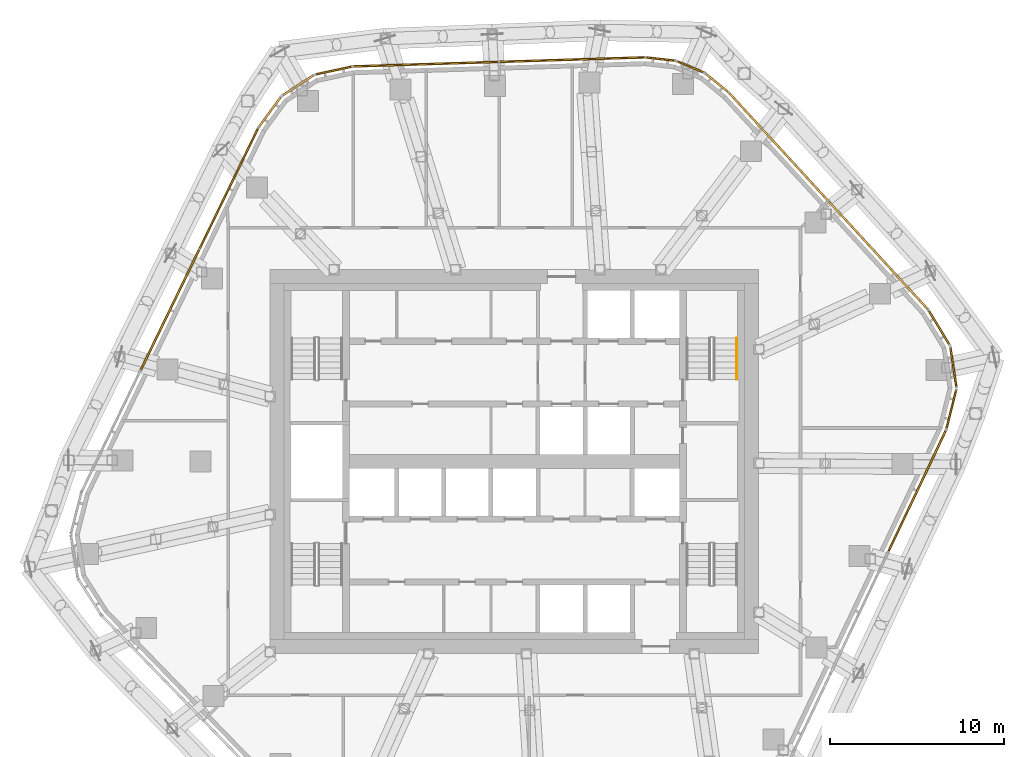
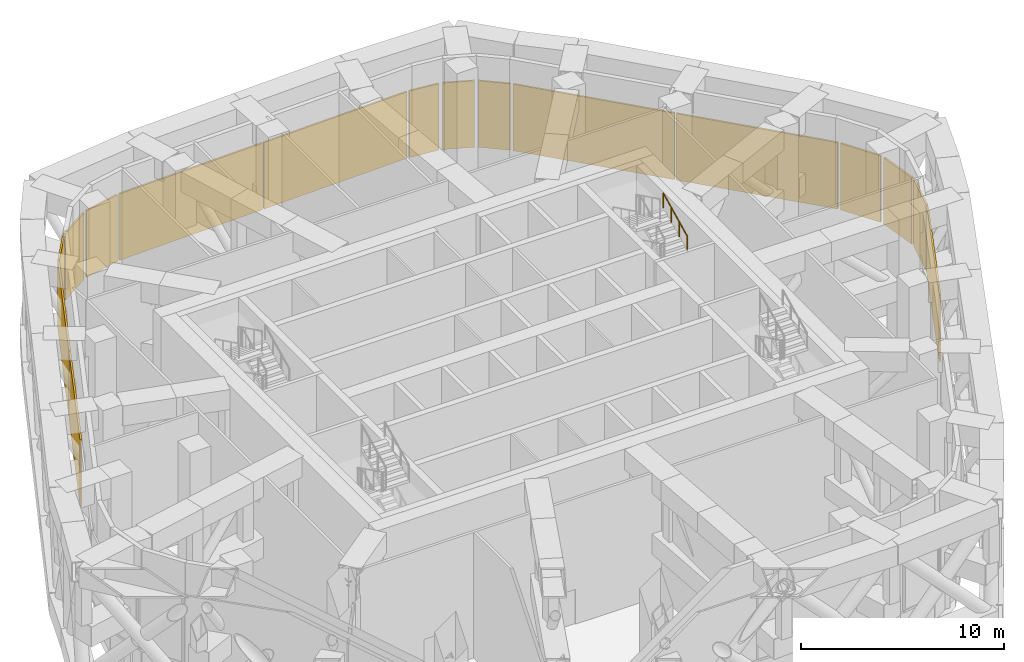
# One storey, part 21 of 21: 16 coverings, 1 railing, 7 elements without a shape of their own.
"""IFC4 building model written with IfcOpenShell, lengths in metres."""

from ifc_helpers import new_model, si_unit, direction, frame, origin, origin_2d, place, context, subcontext, project, spatial, rectangle, circle, extrude, material, layer, layer_set, type_object, element, aggregate, save


model = new_model("IFC4")

# Units and contexts
model_context = context("Model", 3, precision=1e-05, world=origin(), true_north=direction((0.0, 1.0)))
body_context = subcontext(model_context, "Body", "Model", "MODEL_VIEW")
ifc_project = project(units=[si_unit("LENGTHUNIT", "METRE"), si_unit("AREAUNIT", "SQUARE_METRE"), si_unit("VOLUMEUNIT", "CUBIC_METRE"), si_unit("PLANEANGLEUNIT", "RADIAN"), si_unit("MASSUNIT", "GRAM", prefix="KILO")], contexts=[model_context])

# Site, building, storey
site_placement = place(None, origin())
site = spatial("IfcSite", under=ifc_project, at=site_placement, CompositionType="ELEMENT")
building_placement = place(site_placement, origin())
building = spatial("IfcBuilding", under=site, at=building_placement, Name="Dongbaek Canopy Tower", CompositionType="ELEMENT")
storey_placement = place(building_placement, frame((0.0, 0.0, 220.60009765625)))
storey = spatial("IfcBuildingStorey", under=building, at=storey_placement, Name="L46", CompositionType="ELEMENT", Elevation=220.60009765625)

# Curtain wall, coverings
ifc_material_1 = material(Name="Aluminium 6063-T6 pale anodised", Category="aluminium")
ifc_layer_1 = layer(ifc_material_1, 0.14990234375)
ifc_layer_set_1 = layer_set([ifc_layer_1], Name="CW-7 louvre curtain wall")
curtain_wall_type = type_object("IfcCurtainWallType", Name="CW-7 louvre curtain wall", PredefinedType="NOTDEFINED", material=ifc_layer_set_1)
curtain_wall_1_placement = place(storey_placement, origin())
curtain_wall_1 = element("IfcCurtainWall", 1, at=curtain_wall_1_placement, inside=storey, type_object=curtain_wall_type, Name="CW-7 louvre wall L46 K0", PredefinedType="NOTDEFINED")
ifc_material_2 = material(Name="Aluminium 6063-T6 pale metal louvre blades", Category="aluminium")
ifc_layer_2 = layer(ifc_material_2, 0.10009765625)
ifc_layer_set_2 = layer_set([ifc_layer_2], Name="Louvre LV bank 100 x 4000")
covering_type = type_object("IfcCoveringType", Name="Louvre LV bank 100 x 4000", PredefinedType="CLADDING", material=ifc_layer_set_2)
covering_1_placement = place(storey_placement, frame((25.043701171875, 3.004150390625, 1.77490234375), z_axis=(0.0, 0.0, 1.0), x_axis=(0.242808159249, 0.970074325916, 0.0)))
covering_1 = element("IfcCovering", 2, at=covering_1_placement, type_object=covering_type, Name="Louvre L46 K0.1.1", PredefinedType="CLADDING", context=body_context, shape_type="SweptSolid", body=[
    extrude(rectangle(XDim=2.236083984375, YDim=0.10009765625, at=origin_2d()), origin(), (0.0, 0.0, 1.0), 4.0),
])
covering_2_placement = place(storey_placement, frame((25.15966796875, 5.414794921875, 1.77490234375), z_axis=(0.0, 0.0, 1.0), x_axis=(-0.149423746868, 0.988773252001, 0.0)))
covering_2 = element("IfcCovering", 3, at=covering_2_placement, type_object=covering_type, Name="Louvre L46 K0.2.1", PredefinedType="CLADDING", context=body_context, shape_type="SweptSolid", body=[
    extrude(rectangle(XDim=2.22607421875, YDim=0.10009765625, at=origin_2d()), origin(), (0.0, 0.0, 1.0), 4.0),
])
covering_3_placement = place(storey_placement, frame((24.336669921875, 7.683349609375, 1.77490234375), z_axis=(0.0, 0.0, 1.0), x_axis=(-0.518615180918, 0.855007774305, 0.0)))
covering_3 = element("IfcCovering", 4, at=covering_3_placement, type_object=covering_type, Name="Louvre L46 K0.3.1", PredefinedType="CLADDING", context=body_context, shape_type="SweptSolid", body=[
    extrude(rectangle(XDim=2.236083984375, YDim=0.10009765625, at=origin_2d()), origin(), (0.0, 0.0, 1.0), 4.0),
])
aggregate(curtain_wall_1, [covering_1, covering_2, covering_3])

curtain_wall_2_placement = place(storey_placement, origin())
curtain_wall_2 = element("IfcCurtainWall", 5, at=curtain_wall_2_placement, inside=storey, type_object=curtain_wall_type, Name="CW-7 louvre wall L46 F0", PredefinedType="NOTDEFINED")
covering_4_placement = place(storey_placement, frame((20.841796875, 11.836669921875, 1.77490234375), z_axis=(0.0, 0.0, 1.0), x_axis=(-0.676392029958, 0.736541799092, 0.0)))
covering_4 = element("IfcCovering", 6, at=covering_4_placement, type_object=covering_type, Name="Louvre L46 F0.1.1", PredefinedType="CLADDING", context=body_context, shape_type="SweptSolid", body=[
    extrude(rectangle(XDim=8.337646484375, YDim=0.10009765625, at=origin_2d()), origin(), (0.0, 0.0, 1.0), 4.0),
])
covering_5_placement = place(storey_placement, frame((15.141357421875, 18.0439453125, 1.77490234375), z_axis=(0.0, 0.0, 1.0), x_axis=(-0.676392029958, 0.736541799092, 0.0)))
covering_5 = element("IfcCovering", 7, at=covering_5_placement, type_object=covering_type, Name="Louvre L46 F0.1.2", PredefinedType="CLADDING", context=body_context, shape_type="SweptSolid", body=[
    extrude(rectangle(XDim=8.337646484375, YDim=0.10009765625, at=origin_2d()), origin(), (0.0, 0.0, 1.0), 4.0),
])
aggregate(curtain_wall_2, [covering_4, covering_5])

curtain_wall_3_placement = place(storey_placement, origin())
curtain_wall_3 = element("IfcCurtainWall", 8, at=curtain_wall_3_placement, inside=storey, type_object=curtain_wall_type, Name="CW-7 louvre wall L46 K1", PredefinedType="NOTDEFINED")
covering_6_placement = place(storey_placement, frame((11.60009765625, 21.716552734375, 1.77490234375), z_axis=(0.0, 0.0, 1.0), x_axis=(-0.774551208084, 0.632511206269, 0.0)))
covering_6 = element("IfcCovering", 9, at=covering_6_placement, type_object=covering_type, Name="Louvre L46 K1.1.1", PredefinedType="CLADDING", context=body_context, shape_type="SweptSolid", body=[
    extrude(rectangle(XDim=1.600341796875, YDim=0.10009765625, at=origin_2d()), origin(), (0.0, 0.0, 1.0), 4.0),
])
covering_7_placement = place(storey_placement, frame((10.084228515625, 22.629150390625, 1.77490234375), z_axis=(0.0, 0.0, 1.0), x_axis=(-0.921649274302, 0.38802398789, 0.0)))
covering_7 = element("IfcCovering", 10, at=covering_7_placement, type_object=covering_type, Name="Louvre L46 K1.2.1", PredefinedType="CLADDING", context=body_context, shape_type="SweptSolid", body=[
    extrude(rectangle(XDim=1.593017578125, YDim=0.10009765625, at=origin_2d()), origin(), (0.0, 0.0, 1.0), 4.0),
])
covering_8_placement = place(storey_placement, frame((8.3720703125, 23.07568359375, 1.77490234375), z_axis=(0.0, 0.0, 1.0), x_axis=(-0.993714176312, 0.111947022273, 0.0)))
covering_8 = element("IfcCovering", 11, at=covering_8_placement, type_object=covering_type, Name="Louvre L46 K1.3.1", PredefinedType="CLADDING", context=body_context, shape_type="SweptSolid", body=[
    extrude(rectangle(XDim=1.600341796875, YDim=0.10009765625, at=origin_2d()), origin(), (0.0, 0.0, 1.0), 4.0),
])
aggregate(curtain_wall_3, [covering_6, covering_7, covering_8])

curtain_wall_4_placement = place(storey_placement, origin())
curtain_wall_4 = element("IfcCurtainWall", 12, at=curtain_wall_4_placement, inside=storey, type_object=curtain_wall_type, Name="CW-7 louvre wall L46 F1", PredefinedType="NOTDEFINED")
covering_9_placement = place(storey_placement, frame((3.30126953125, 23.042724609375, 1.77490234375), z_axis=(0.0, 0.0, 1.0), x_axis=(-0.999520466228, -0.030965102792, 0.0)))
covering_9 = element("IfcCovering", 13, at=covering_9_placement, type_object=covering_type, Name="Louvre L46 F1.1.1", PredefinedType="CLADDING", context=body_context, shape_type="SweptSolid", body=[
    extrude(rectangle(XDim=8.276123046875, YDim=0.10009765625, at=origin_2d()), origin(), (0.0, 0.0, 1.0), 4.0),
])
covering_10_placement = place(storey_placement, frame((-5.060791015625, 22.78369140625, 1.77490234375), z_axis=(0.0, 0.0, 1.0), x_axis=(-0.999520466228, -0.030965102792, 0.0)))
covering_10 = element("IfcCovering", 14, at=covering_10_placement, type_object=covering_type, Name="Louvre L46 F1.1.2", PredefinedType="CLADDING", context=body_context, shape_type="SweptSolid", body=[
    extrude(rectangle(XDim=8.276123046875, YDim=0.10009765625, at=origin_2d()), origin(), (0.0, 0.0, 1.0), 4.0),
])
aggregate(curtain_wall_4, [covering_9, covering_10])

curtain_wall_5_placement = place(storey_placement, origin())
curtain_wall_5 = element("IfcCurtainWall", 15, at=curtain_wall_5_placement, inside=storey, type_object=curtain_wall_type, Name="CW-7 louvre wall L46 K2", PredefinedType="NOTDEFINED")
covering_11_placement = place(storey_placement, frame((-10.348876953125, 22.42138671875, 1.77490234375), z_axis=(0.0, 0.0, 1.0), x_axis=(-0.977554319534, -0.210683536046, 0.0)))
covering_11 = element("IfcCovering", 16, at=covering_11_placement, type_object=covering_type, Name="Louvre L46 K2.1.1", PredefinedType="CLADDING", context=body_context, shape_type="SweptSolid", body=[
    extrude(rectangle(XDim=2.04638671875, YDim=0.10009765625, at=origin_2d()), origin(), (0.0, 0.0, 1.0), 4.0),
])
covering_12_placement = place(storey_placement, frame((-12.40234375, 21.569580078125, 1.77490234375), z_axis=(0.0, 0.0, 1.0), x_axis=(-0.839256302174, -0.543736019831, 0.0)))
covering_12 = element("IfcCovering", 17, at=covering_12_placement, type_object=covering_type, Name="Louvre L46 K2.2.1", PredefinedType="CLADDING", context=body_context, shape_type="SweptSolid", body=[
    extrude(rectangle(XDim=2.037109375, YDim=0.10009765625, at=origin_2d()), origin(), (0.0, 0.0, 1.0), 4.0),
])
covering_13_placement = place(storey_placement, frame((-14.018798828125, 20.043701171875, 1.77490234375), z_axis=(0.0, 0.0, 1.0), x_axis=(-0.591812752147, -0.806075471898, 0.0)))
covering_13 = element("IfcCovering", 18, at=covering_13_placement, type_object=covering_type, Name="Louvre L46 K2.3.1", PredefinedType="CLADDING", context=body_context, shape_type="SweptSolid", body=[
    extrude(rectangle(XDim=2.04638671875, YDim=0.10009765625, at=origin_2d()), origin(), (0.0, 0.0, 1.0), 4.0),
])
aggregate(curtain_wall_5, [covering_11, covering_12, covering_13])

curtain_wall_6_placement = place(storey_placement, origin())
curtain_wall_6 = element("IfcCurtainWall", 19, at=curtain_wall_6_placement, inside=storey, type_object=curtain_wall_type, Name="CW-7 louvre wall L46 F2", PredefinedType="NOTDEFINED")
covering_14_placement = place(storey_placement, frame((-16.370361328125, 15.654296875, 1.77490234375), z_axis=(0.0, 0.0, 1.0), x_axis=(-0.436767146018, -0.899574599552, 0.0)))
covering_14 = element("IfcCovering", 20, at=covering_14_placement, type_object=covering_type, Name="Louvre L46 F2.1.1", PredefinedType="CLADDING", context=body_context, shape_type="SweptSolid", body=[
    extrude(rectangle(XDim=7.6337890625, YDim=0.10009765625, at=origin_2d()), origin(), (0.0, 0.0, 1.0), 4.0),
])
covering_15_placement = place(storey_placement, frame((-19.743896484375, 8.706298828125, 1.77490234375), z_axis=(0.0, 0.0, 1.0), x_axis=(-0.436767146018, -0.899574599552, 0.0)))
covering_15 = element("IfcCovering", 21, at=covering_15_placement, type_object=covering_type, Name="Louvre L46 F2.1.2", PredefinedType="CLADDING", context=body_context, shape_type="SweptSolid", body=[
    extrude(rectangle(XDim=7.6337890625, YDim=0.10009765625, at=origin_2d()), origin(), (0.0, 0.0, 1.0), 4.0),
])
aggregate(curtain_wall_6, [covering_14, covering_15])

# Curtain wall, covering
curtain_wall_7_placement = place(storey_placement, origin())
curtain_wall_7 = element("IfcCurtainWall", 22, at=curtain_wall_7_placement, inside=storey, type_object=curtain_wall_type, Name="CW-7 louvre wall L46 F5", PredefinedType="NOTDEFINED")
covering_16_placement = place(storey_placement, frame((23.0830078125, -1.67822265625, 1.77490234375), z_axis=(0.0, 0.0, 1.0), x_axis=(0.428545293248, 0.903520299515, 0.0)))
covering_16 = element("IfcCovering", 23, at=covering_16_placement, type_object=covering_type, Name="Louvre L46 F5.1.3", PredefinedType="CLADDING", context=body_context, shape_type="SweptSolid", body=[
    extrude(rectangle(XDim=7.6337890625, YDim=0.10009765625, at=origin_2d()), origin(), (0.0, 0.0, 1.0), 4.0),
])
aggregate(curtain_wall_7, [covering_16])

# Railing
ifc_material_3 = material(Name="Stainless steel tube", Category="steel")
railing_type = type_object("IfcRailingType", Name="Stair handrail 900", PredefinedType="HANDRAIL", material=ifc_material_3)
railing_placement = place(storey_placement, frame((12.75, 4.699951171875, 5.5)))
element("IfcRailing", 24, at=railing_placement, inside=storey, type_object=railing_type, Name="L46 ST-A stair handrail 5", PredefinedType="HANDRAIL", context=body_context, shape_type="SweptSolid", body=[
    extrude(circle(Radius=0.02392578125, at=origin_2d()), frame((0.0, 0.0, 0.8759765625), z_axis=(0.0, 0.897954268197, 0.440088777664), x_axis=(-1.0, 0.0, 0.0)), (0.0, 0.0, 1.0), 2.650634765625),
    extrude(circle(Radius=0.02099609375, at=origin_2d()), origin(), (0.0, 0.0, 1.0), 0.851806640625),
    extrude(circle(Radius=0.02099609375, at=origin_2d()), frame((0.0, 0.79345703125, 0.388916015625)), (0.0, 0.0, 1.0), 0.851806640625),
    extrude(circle(Radius=0.02099609375, at=origin_2d()), frame((0.0, 1.586669921875, 0.777587890625)), (0.0, 0.0, 1.0), 0.851806640625),
    extrude(circle(Radius=0.02099609375, at=origin_2d()), frame((0.0, 2.380126953125, 1.16650390625)), (0.0, 0.0, 1.0), 0.851806640625),
])

save(model, "model.ifc")
